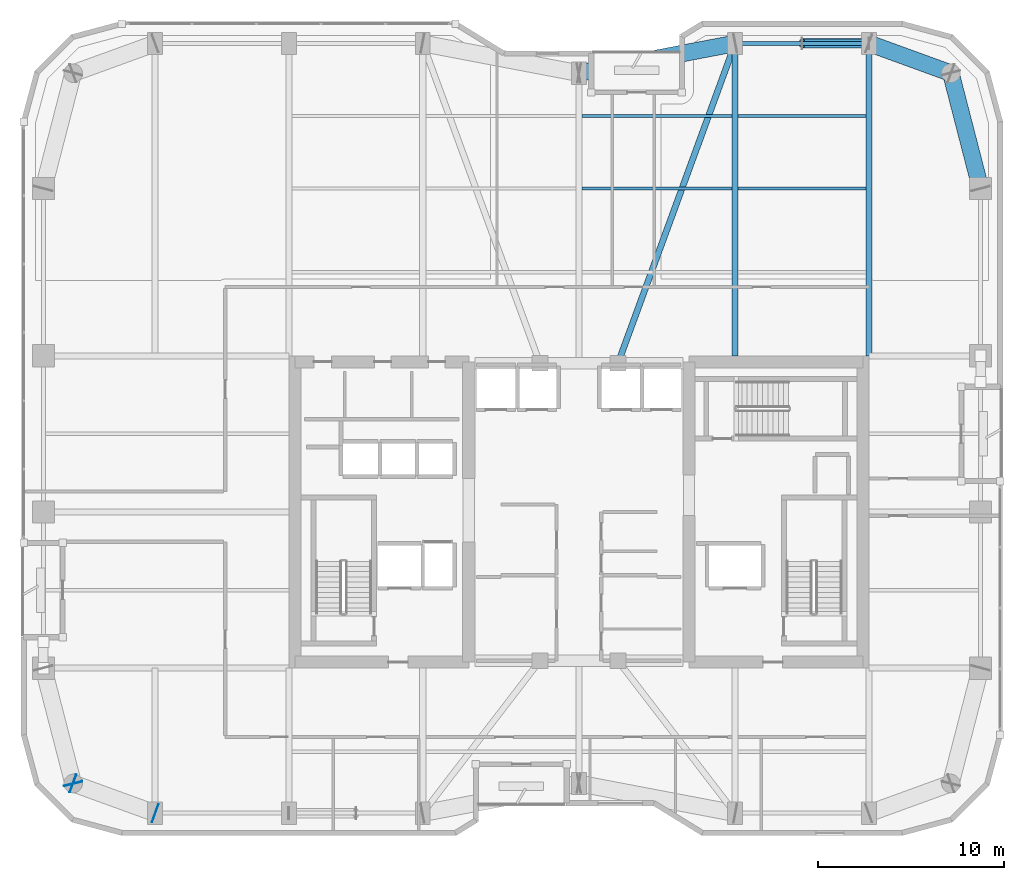
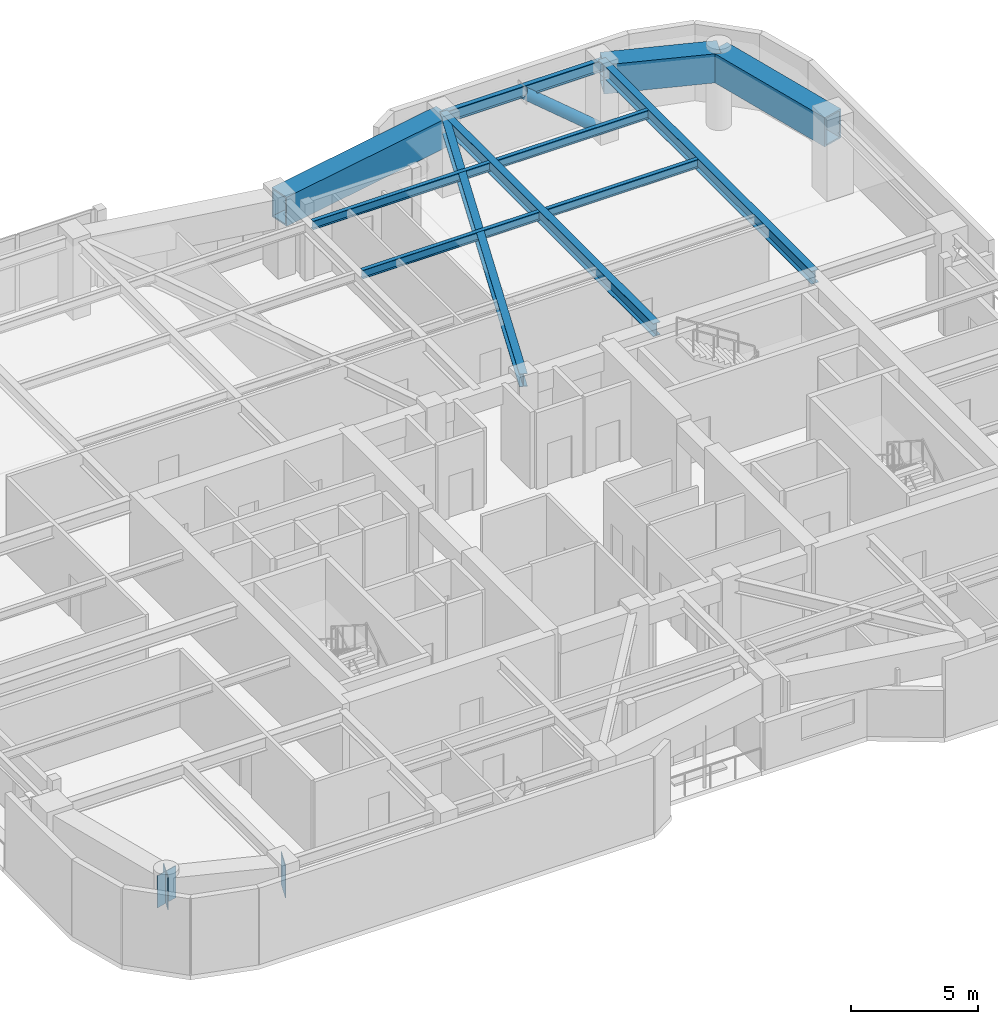
# One storey, part 20 of 30: 11 beams, 3 plates, 1 member.
"""IFC4 building model written with IfcOpenShell, lengths in metres."""

from ifc_helpers import new_model, si_unit, direction, frame, origin, origin_2d, place, context, subcontext, project, spatial, rectangle, hollow_rectangle, hollow_circle, i_section, extrude, material, layer, layer_set, material_profile, profile_set, type_object, element, save


model = new_model("IFC4")

# Units and contexts
model_context = context("Model", 3, precision=1e-05, world=origin(), true_north=direction((0.0, 1.0)))
body_context = subcontext(model_context, "Body", "Model", "MODEL_VIEW")
ifc_project = project(units=[si_unit("LENGTHUNIT", "METRE"), si_unit("AREAUNIT", "SQUARE_METRE"), si_unit("VOLUMEUNIT", "CUBIC_METRE"), si_unit("PLANEANGLEUNIT", "RADIAN"), si_unit("MASSUNIT", "GRAM", prefix="KILO")], contexts=[model_context])

# Site, building, storey
site_placement = place(None, origin())
site = spatial("IfcSite", under=ifc_project, at=site_placement, CompositionType="ELEMENT")
building_placement = place(site_placement, origin())
building = spatial("IfcBuilding", under=site, at=building_placement, Name="Kiyonajd Concourse Tower", CompositionType="ELEMENT")
storey_placement = place(building_placement, frame((0.0, 0.0, 201.89990234375)))
storey = spatial("IfcBuildingStorey", under=building, at=storey_placement, Name="L51", CompositionType="ELEMENT", Elevation=201.89990234375)

# Beams
ifc_material_1 = material(Name="Steel ASTM A992 Grade 50", Category="steel")
ifc_material_profile_1 = material_profile(ifc_material_1, i_section(OverallWidth=0.180908203125, OverallDepth=0.4169921875, WebThickness=0.010986328125, FlangeThickness=0.018310546875, at=origin_2d()), Name="W410X85")
ifc_profile_set_1 = profile_set([ifc_material_profile_1], Name="Steel ASTM A992 Grade 50")
beam_type_1 = type_object("IfcBeamType", Name="BM-JST-410", PredefinedType="JOIST", material=ifc_profile_set_1)
beam_1_placement = place(storey_placement, frame((48.16357421875, 53.39990234375, 3.4716796875), z_axis=(1.0, 0.0, 0.0), x_axis=(0.0, 1.0, 0.0)))
element("IfcBeam", 1, at=beam_1_placement, inside=storey, type_object=beam_type_1, Name="L51 Secondary Floor Joist", PredefinedType="JOIST", context=body_context, shape_type="SweptSolid", body=[
    extrude(i_section(OverallWidth=0.180908203125, OverallDepth=0.4169921875, WebThickness=0.010986328125, FlangeThickness=0.018310546875, at=origin_2d()), origin(), (0.0, 0.0, 1.0), 8.072998046875),
])
beam_2_placement = place(storey_placement, frame((56.5634765625, 53.39990234375, 3.4716796875), z_axis=(1.0, 0.0, 0.0), x_axis=(0.0, 1.0, 0.0)))
element("IfcBeam", 2, at=beam_2_placement, inside=storey, type_object=beam_type_1, Name="L51 Secondary Floor Joist", PredefinedType="JOIST", context=body_context, shape_type="SweptSolid", body=[
    extrude(i_section(OverallWidth=0.180908203125, OverallDepth=0.4169921875, WebThickness=0.010986328125, FlangeThickness=0.018310546875, at=origin_2d()), origin(), (0.0, 0.0, 1.0), 6.873046875),
])
beam_3_placement = place(storey_placement, frame((48.16357421875, 57.300048828125, 3.4716796875), z_axis=(1.0, 0.0, 0.0), x_axis=(0.0, 1.0, 0.0)))
element("IfcBeam", 3, at=beam_3_placement, inside=storey, type_object=beam_type_1, Name="L51 Secondary Floor Joist", PredefinedType="JOIST", context=body_context, shape_type="SweptSolid", body=[
    extrude(i_section(OverallWidth=0.180908203125, OverallDepth=0.4169921875, WebThickness=0.010986328125, FlangeThickness=0.018310546875, at=origin_2d()), origin(), (0.0, 0.0, 1.0), 8.072998046875),
])
beam_4_placement = place(storey_placement, frame((56.5634765625, 57.300048828125, 3.4716796875), z_axis=(1.0, 0.0, 0.0), x_axis=(0.0, 1.0, 0.0)))
element("IfcBeam", 4, at=beam_4_placement, inside=storey, type_object=beam_type_1, Name="L51 Secondary Floor Joist", PredefinedType="JOIST", context=body_context, shape_type="SweptSolid", body=[
    extrude(i_section(OverallWidth=0.180908203125, OverallDepth=0.4169921875, WebThickness=0.010986328125, FlangeThickness=0.018310546875, at=origin_2d()), origin(), (0.0, 0.0, 1.0), 6.873046875),
])
ifc_material_profile_2 = material_profile(ifc_material_1, i_section(OverallWidth=0.214111328125, OverallDepth=0.549072265625, WebThickness=0.0146484375, FlangeThickness=0.023681640625, at=origin_2d()), Name="W530X138")
ifc_profile_set_2 = profile_set([ifc_material_profile_2], Name="Steel ASTM A992 Grade 50")
beam_type_2 = type_object("IfcBeamType", Name="BM-SPAN-530A", PredefinedType="SPANDREL", material=ifc_profile_set_2)
beam_5_placement = place(storey_placement, frame((63.60009765625, 61.199951171875, 3.405517578125), z_axis=(-1.0, 0.0, 0.0), x_axis=(0.0, -1.0, 0.0)))
element("IfcBeam", 5, at=beam_5_placement, inside=storey, type_object=beam_type_2, Name="L51 Perimeter Bundled Tube Spandrel", PredefinedType="SPANDREL", context=body_context, shape_type="SweptSolid", body=[
    extrude(i_section(OverallWidth=0.214111328125, OverallDepth=0.549072265625, WebThickness=0.0146484375, FlangeThickness=0.023681640625, at=origin_2d()), origin(), (0.0, 0.0, 1.0), 7.2001953125),
])
ifc_material_profile_3 = material_profile(ifc_material_1, i_section(OverallWidth=0.326904296875, OverallDepth=0.6220703125, WebThickness=0.015380859375, FlangeThickness=0.0244140625, at=origin_2d()), Name="W610X195")
ifc_profile_set_3 = profile_set([ifc_material_profile_3], Name="Steel ASTM A992 Grade 50")
beam_type_3 = type_object("IfcBeamType", Name="BM-TWR-610A", PredefinedType="BEAM", material=ifc_profile_set_3)
beam_6_placement = place(storey_placement, frame((50.10009765625, 44.0, 3.369140625), z_axis=(0.343925269715, 0.938997022813, 0.0), x_axis=(-0.938997022813, 0.343925269715, 0.0)))
element("IfcBeam", 6, at=beam_6_placement, inside=storey, type_object=beam_type_3, Name="L51 Core Tie Girder", PredefinedType="BEAM", context=body_context, shape_type="SweptSolid", body=[
    extrude(i_section(OverallWidth=0.326904296875, OverallDepth=0.6220703125, WebThickness=0.015380859375, FlangeThickness=0.0244140625, at=origin_2d()), origin(), (0.0, 0.0, 1.0), 18.3173828125),
])
for number, where, z_axis, x_axis, name in (
    (7, (56.39990234375, 44.39990234375, 3.369140625), (0.0, 1.0, 0.0), (-1.0, 0.0, 0.0), "L51 North Lease Girder"),
    (8, (63.60009765625, 44.39990234375, 3.369140625), (0.0, 1.0, 0.0), (-1.0, 0.0, 0.0), "L51 North Lease Girder"),
):
    element("IfcBeam", number, at=place(storey_placement, frame(where, z_axis=z_axis, x_axis=x_axis)), inside=storey, type_object=beam_type_3, Name=name, PredefinedType="BEAM", context=body_context, shape_type="SweptSolid", body=[
        extrude(i_section(OverallWidth=0.326904296875, OverallDepth=0.6220703125, WebThickness=0.015380859375, FlangeThickness=0.0244140625, at=origin_2d()), origin(), (0.0, 0.0, 1.0), 16.800048828125),
    ])
ifc_material_2 = material(Name="Steel ASTM A572 Grade 50", Category="steel")
ifc_material_profile_4 = material_profile(ifc_material_2, hollow_rectangle(XDim=0.89990234375, YDim=1.39990234375, WallThickness=0.070068359375, at=origin_2d()), Name="BOX-1400x900x70")
ifc_profile_set_4 = profile_set([ifc_material_profile_4], Name="Steel ASTM A572 Grade 50")
beam_type_4 = type_object("IfcBeamType", Name="BM-XFER-1400", PredefinedType="BEAM", material=ifc_profile_set_4)
beam_7_placement = place(storey_placement, frame((69.60009765625, 53.39990234375, 2.97998046875), z_axis=(-0.249884937687, 0.968275538221, 0.0), x_axis=(-0.968275538221, -0.249884937687, 0.0)))
element("IfcBeam", 9, at=beam_7_placement, inside=storey, type_object=beam_type_4, Name="L51 Perimeter Bundled Tube Spandrel", PredefinedType="BEAM", context=body_context, shape_type="SweptSolid", body=[
    extrude(hollow_rectangle(XDim=0.89990234375, YDim=1.39990234375, WallThickness=0.070068359375, at=origin_2d()), origin(), (0.0, 0.0, 1.0), 6.4033203125),
])
beam_8_placement = place(storey_placement, frame((68.0, 59.60009765625, 2.97998046875), z_axis=(-0.939801036019, 0.341722127901, 0.0), x_axis=(-0.341722127901, -0.939801036019, 0.0)))
element("IfcBeam", 10, at=beam_8_placement, inside=storey, type_object=beam_type_4, Name="L51 Perimeter Bundled Tube Spandrel", PredefinedType="BEAM", context=body_context, shape_type="SweptSolid", body=[
    extrude(hollow_rectangle(XDim=0.89990234375, YDim=1.39990234375, WallThickness=0.070068359375, at=origin_2d()), origin(), (0.0, 0.0, 1.0), 4.681640625),
])
beam_9_placement = place(storey_placement, frame((56.39990234375, 61.199951171875, 2.97998046875), z_axis=(-0.982341315253, -0.187097675953, 0.0), x_axis=(0.187097675953, -0.982341315253, 0.0)))
element("IfcBeam", 11, at=beam_9_placement, inside=storey, type_object=beam_type_4, Name="L51 Perimeter Bundled Tube Spandrel", PredefinedType="BEAM", context=body_context, shape_type="SweptSolid", body=[
    extrude(hollow_rectangle(XDim=0.89990234375, YDim=1.39990234375, WallThickness=0.070068359375, at=origin_2d()), origin(), (0.0, 0.0, 1.0), 8.55078125),
])

# Member
ifc_material_3 = material(Name="Steel ASTM A500 Grade C", Category="steel")
ifc_material_profile_5 = material_profile(ifc_material_3, hollow_circle(Radius=0.25390625, WallThickness=0.02197265625, at=origin_2d()), Name="CHS-508x22")
ifc_profile_set_5 = profile_set([ifc_material_profile_5], Name="Steel ASTM A500 Grade C")
member_type = type_object("IfcMemberType", Name="MB-PB-MID", PredefinedType="BRACE", material=ifc_profile_set_5)
member_placement = place(storey_placement, frame((63.60009765625, 61.199951171875, 0.300048828125), z_axis=(-0.765082043761, 0.0, 0.643932811957), x_axis=(0.0, -1.0, 0.0)))
element("IfcMember", 12, at=member_placement, inside=storey, type_object=member_type, Name="L51 Upper Zone Hollow Tube Brace PBN", PredefinedType="BRACE", context=body_context, shape_type="SweptSolid", body=[
    extrude(hollow_circle(Radius=0.25390625, WallThickness=0.02197265625, at=origin_2d()), origin(), (0.0, 0.0, 1.0), 4.70556640625),
])

# Plates
ifc_layer = layer(ifc_material_2, 0.031982421875)
ifc_layer_set = layer_set([ifc_layer], Name="Steel ASTM A572 Grade 50")
plate_type = type_object("IfcPlateType", Name="PL-CAP-540", PredefinedType="USERDEFINED", material=ifc_layer_set)
for number, where, z_axis, x_axis, name in (
    (13, (20.802734375, 21.389404296875, 2.2099609375), (0.0, 0.0, 1.0), (0.249873048837, -0.968278606324, 0.0), "L51 Welded Box Girder End Cap"),
    (14, (20.789794921875, 21.40380859375, 2.2099609375), (0.0, 0.0, 1.0), (-0.939811951086, 0.341692107891, 0.0), "L51 Welded Box Girder End Cap"),
    (15, (25.210205078125, 19.796142578125, 2.2099609375), (0.0, 0.0, 1.0), (0.939811951086, -0.341692107891, 0.0), "L51 Welded Box Girder End Cap"),
):
    element("IfcPlate", number, at=place(storey_placement, frame(where, z_axis=z_axis, x_axis=x_axis)), inside=storey, type_object=plate_type, Name=name, ObjectType="CAP PLATE", PredefinedType="USERDEFINED", context=body_context, shape_type="SweptSolid", body=[
        extrude(rectangle(XDim=0.035888671875, YDim=1.02001953125, at=origin_2d()), origin(), (0.0, 0.0, 1.0), 1.5400390625),
    ])

save(model, "model.ifc")
